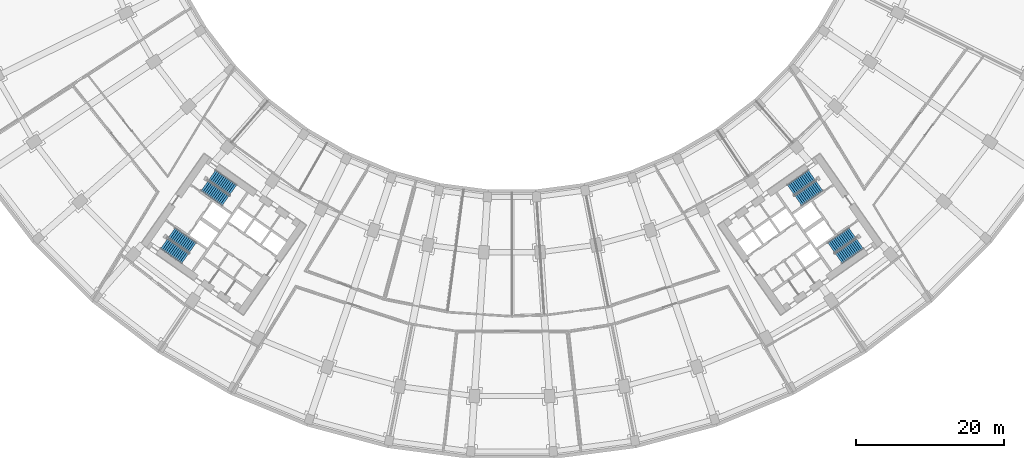
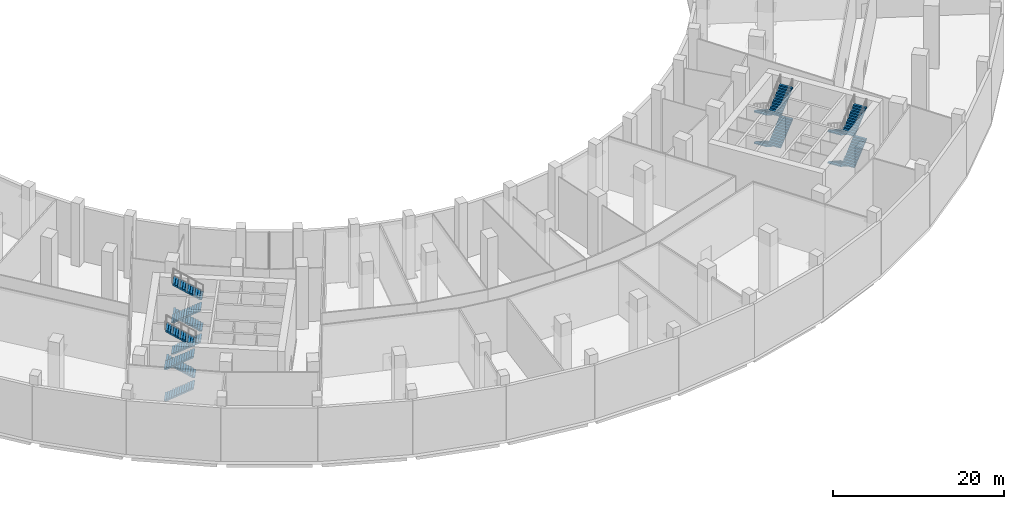
# One storey, part 12 of 19: 16 stair flights, 4 elements without a shape of their own.
"""IFC4 building model written with IfcOpenShell, lengths in metres."""

from ifc_helpers import new_model, si_unit, direction, frame, origin, place, context, subcontext, project, spatial, polyline, outline, extrude, material, type_object, element, aggregate, save


model = new_model("IFC4")

# Units and contexts
model_context = context("Model", 3, precision=1e-05, world=origin(), true_north=direction((0.0, 1.0)))
body_context = subcontext(model_context, "Body", "Model", "MODEL_VIEW")
ifc_project = project(units=[si_unit("LENGTHUNIT", "METRE"), si_unit("AREAUNIT", "SQUARE_METRE"), si_unit("VOLUMEUNIT", "CUBIC_METRE"), si_unit("PLANEANGLEUNIT", "RADIAN"), si_unit("MASSUNIT", "GRAM", prefix="KILO")], contexts=[model_context])

# Site, building, storey
site_placement = place(None, origin())
site = spatial("IfcSite", under=ifc_project, at=site_placement, CompositionType="ELEMENT")
building_placement = place(site_placement, origin())
building = spatial("IfcBuilding", under=site, at=building_placement, Name="Qamariyya Broadcast Tower", CompositionType="ELEMENT")
storey_placement = place(building_placement, frame((0.0, 0.0, 9.0)))
storey = spatial("IfcBuildingStorey", under=building, at=storey_placement, Name="L01", CompositionType="ELEMENT", Elevation=9.0)

# Stair, stair flights
ifc_material = material(Name="Concrete C50/60", Category="concrete")
stair_type = type_object("IfcStairType", Name="Exit stair 52 risers of 173 mm", PredefinedType="HALF_TURN_STAIR", material=ifc_material)
stair_1_placement = place(storey_placement, origin())
stair_1 = element("IfcStair", 1, at=stair_1_placement, inside=storey, type_object=stair_type, Name="L01 Stair W2", PredefinedType="HALF_TURN_STAIR")
stair_flight_type = type_object("IfcStairFlightType", Name="Exit stair flight 13 risers of 173 mm", PredefinedType="STRAIGHT", material=ifc_material)
stair_flight_1_placement = place(storey_placement, frame((-41.59130859375, -49.15966796875, 0.0), z_axis=(0.0, 0.0, 1.0), x_axis=(0.819152044289, -0.573576436351, 0.0)))
stair_flight_1 = element("IfcStairFlight", 2, at=stair_flight_1_placement, type_object=stair_flight_type, Name="ST-W2 flight 1", NumberOfRisers=13, NumberOfTreads=12, PredefinedType="STRAIGHT", RiserHeight=0.173076923, TreadLength=0.29, context=body_context, shape_type="SweptSolid", body=[
    extrude(outline(polyline([(0.0, 0.0), (0.0, 0.173095703125), (0.2900390625, 0.173095703125), (0.2900390625, 0.34619140625), (0.580078125, 0.34619140625), (0.580078125, 0.519287109375), (0.8701171875, 0.519287109375), (0.8701171875, 0.6923828125), (1.159912109375, 0.6923828125), (1.159912109375, 0.865478515625), (1.449951171875, 0.865478515625), (1.449951171875, 1.03857421875), (1.739990234375, 1.03857421875), (1.739990234375, 1.21142578125), (2.030029296875, 1.21142578125), (2.030029296875, 1.384521484375), (2.320068359375, 1.384521484375), (2.320068359375, 1.5576171875), (2.610107421875, 1.5576171875), (2.610107421875, 1.730712890625), (2.89990234375, 1.730712890625), (2.89990234375, 1.90380859375), (3.18994140625, 1.90380859375), (3.18994140625, 2.076904296875), (3.47998046875, 2.076904296875), (3.47998046875, 2.25), (3.47998046875, 1.90234375), (0.29248046875, 0.0), (0.0, 0.0)])), frame((0.0, 0.824951171875, 0.0), z_axis=(0.0, -1.0, 0.0), x_axis=(1.0, 0.0, 0.0)), (0.0, 0.0, 1.0), 1.64990234375),
])
stair_flight_2_placement = place(storey_placement, frame((-37.7080078125, -49.681396484375, 2.25), z_axis=(0.0, 0.0, 1.0), x_axis=(-0.819152044289, 0.573576436351, 0.0)))
stair_flight_2 = element("IfcStairFlight", 3, at=stair_flight_2_placement, type_object=stair_flight_type, Name="ST-W2 flight 2", NumberOfRisers=13, NumberOfTreads=12, PredefinedType="STRAIGHT", RiserHeight=0.173076923, TreadLength=0.29, context=body_context, shape_type="SweptSolid", body=[
    extrude(outline(polyline([(0.0, 0.0), (0.0, 0.173095703125), (0.2900390625, 0.173095703125), (0.2900390625, 0.34619140625), (0.580078125, 0.34619140625), (0.580078125, 0.519287109375), (0.8701171875, 0.519287109375), (0.8701171875, 0.6923828125), (1.159912109375, 0.6923828125), (1.159912109375, 0.865478515625), (1.449951171875, 0.865478515625), (1.449951171875, 1.03857421875), (1.739990234375, 1.03857421875), (1.739990234375, 1.21142578125), (2.030029296875, 1.21142578125), (2.030029296875, 1.384521484375), (2.320068359375, 1.384521484375), (2.320068359375, 1.5576171875), (2.610107421875, 1.5576171875), (2.610107421875, 1.730712890625), (2.89990234375, 1.730712890625), (2.89990234375, 1.90380859375), (3.18994140625, 1.90380859375), (3.18994140625, 2.076904296875), (3.47998046875, 2.076904296875), (3.47998046875, 2.25), (3.47998046875, 1.90234375), (0.29248046875, 0.0), (0.0, 0.0)])), frame((0.0, 0.824951171875, 0.0), z_axis=(0.0, -1.0, 0.0), x_axis=(1.0, 0.0, 0.0)), (0.0, 0.0, 1.0), 1.64990234375),
])
stair_flight_3_placement = place(storey_placement, frame((-41.59130859375, -49.15966796875, 4.5), z_axis=(0.0, 0.0, 1.0), x_axis=(0.819152044289, -0.573576436351, 0.0)))
stair_flight_3 = element("IfcStairFlight", 4, at=stair_flight_3_placement, type_object=stair_flight_type, Name="ST-W2 flight 3", NumberOfRisers=13, NumberOfTreads=12, PredefinedType="STRAIGHT", RiserHeight=0.173076923, TreadLength=0.29, context=body_context, shape_type="SweptSolid", body=[
    extrude(outline(polyline([(0.0, 0.0), (0.0, 0.173095703125), (0.2900390625, 0.173095703125), (0.2900390625, 0.34619140625), (0.580078125, 0.34619140625), (0.580078125, 0.519287109375), (0.8701171875, 0.519287109375), (0.8701171875, 0.6923828125), (1.159912109375, 0.6923828125), (1.159912109375, 0.865478515625), (1.449951171875, 0.865478515625), (1.449951171875, 1.03857421875), (1.739990234375, 1.03857421875), (1.739990234375, 1.21142578125), (2.030029296875, 1.21142578125), (2.030029296875, 1.384521484375), (2.320068359375, 1.384521484375), (2.320068359375, 1.5576171875), (2.610107421875, 1.5576171875), (2.610107421875, 1.730712890625), (2.89990234375, 1.730712890625), (2.89990234375, 1.90380859375), (3.18994140625, 1.90380859375), (3.18994140625, 2.076904296875), (3.47998046875, 2.076904296875), (3.47998046875, 2.25), (3.47998046875, 1.90234375), (0.29248046875, 0.0), (0.0, 0.0)])), frame((0.0, 0.824951171875, 0.0), z_axis=(0.0, -1.0, 0.0), x_axis=(1.0, 0.0, 0.0)), (0.0, 0.0, 1.0), 1.64990234375),
])
stair_flight_4_placement = place(storey_placement, frame((-37.7080078125, -49.681396484375, 6.75), z_axis=(0.0, 0.0, 1.0), x_axis=(-0.819152044289, 0.573576436351, 0.0)))
stair_flight_4 = element("IfcStairFlight", 5, at=stair_flight_4_placement, type_object=stair_flight_type, Name="ST-W2 flight 4", NumberOfRisers=13, NumberOfTreads=12, PredefinedType="STRAIGHT", RiserHeight=0.173076923, TreadLength=0.29, context=body_context, shape_type="SweptSolid", body=[
    extrude(outline(polyline([(0.0, 0.0), (0.0, 0.173095703125), (0.2900390625, 0.173095703125), (0.2900390625, 0.34619140625), (0.580078125, 0.34619140625), (0.580078125, 0.519287109375), (0.8701171875, 0.519287109375), (0.8701171875, 0.6923828125), (1.159912109375, 0.6923828125), (1.159912109375, 0.865478515625), (1.449951171875, 0.865478515625), (1.449951171875, 1.03857421875), (1.739990234375, 1.03857421875), (1.739990234375, 1.21142578125), (2.030029296875, 1.21142578125), (2.030029296875, 1.384521484375), (2.320068359375, 1.384521484375), (2.320068359375, 1.5576171875), (2.610107421875, 1.5576171875), (2.610107421875, 1.730712890625), (2.89990234375, 1.730712890625), (2.89990234375, 1.90380859375), (3.18994140625, 1.90380859375), (3.18994140625, 2.076904296875), (3.47998046875, 2.076904296875), (3.47998046875, 2.25), (3.47998046875, 1.90234375), (0.29248046875, 0.0), (0.0, 0.0)])), frame((0.0, 0.824951171875, 0.0), z_axis=(0.0, -1.0, 0.0), x_axis=(1.0, 0.0, 0.0)), (0.0, 0.0, 1.0), 1.64990234375),
])
aggregate(stair_1, [stair_flight_1, stair_flight_2, stair_flight_3, stair_flight_4])

stair_2_placement = place(storey_placement, origin())
stair_2 = element("IfcStair", 6, at=stair_2_placement, inside=storey, type_object=stair_type, Name="L01 Stair W1", PredefinedType="HALF_TURN_STAIR")
stair_flight_5_placement = place(storey_placement, frame((-47.06884765625, -56.982666015625, 0.0), z_axis=(0.0, 0.0, 1.0), x_axis=(0.819152044289, -0.573576436351, 0.0)))
stair_flight_5 = element("IfcStairFlight", 7, at=stair_flight_5_placement, type_object=stair_flight_type, Name="ST-W1 flight 1", NumberOfRisers=13, NumberOfTreads=12, PredefinedType="STRAIGHT", RiserHeight=0.173076923, TreadLength=0.29, context=body_context, shape_type="SweptSolid", body=[
    extrude(outline(polyline([(0.0, 0.0), (0.0, 0.173095703125), (0.2900390625, 0.173095703125), (0.2900390625, 0.34619140625), (0.580078125, 0.34619140625), (0.580078125, 0.519287109375), (0.8701171875, 0.519287109375), (0.8701171875, 0.6923828125), (1.159912109375, 0.6923828125), (1.159912109375, 0.865478515625), (1.449951171875, 0.865478515625), (1.449951171875, 1.03857421875), (1.739990234375, 1.03857421875), (1.739990234375, 1.21142578125), (2.030029296875, 1.21142578125), (2.030029296875, 1.384521484375), (2.320068359375, 1.384521484375), (2.320068359375, 1.5576171875), (2.610107421875, 1.5576171875), (2.610107421875, 1.730712890625), (2.89990234375, 1.730712890625), (2.89990234375, 1.90380859375), (3.18994140625, 1.90380859375), (3.18994140625, 2.076904296875), (3.47998046875, 2.076904296875), (3.47998046875, 2.25), (3.47998046875, 1.90234375), (0.29248046875, 0.0), (0.0, 0.0)])), frame((0.0, 0.824951171875, 0.0), z_axis=(0.0, -1.0, 0.0), x_axis=(1.0, 0.0, 0.0)), (0.0, 0.0, 1.0), 1.64990234375),
])
stair_flight_6_placement = place(storey_placement, frame((-43.185791015625, -57.504150390625, 2.25), z_axis=(0.0, 0.0, 1.0), x_axis=(-0.819152044289, 0.573576436351, 0.0)))
stair_flight_6 = element("IfcStairFlight", 8, at=stair_flight_6_placement, type_object=stair_flight_type, Name="ST-W1 flight 2", NumberOfRisers=13, NumberOfTreads=12, PredefinedType="STRAIGHT", RiserHeight=0.173076923, TreadLength=0.29, context=body_context, shape_type="SweptSolid", body=[
    extrude(outline(polyline([(0.0, 0.0), (0.0, 0.173095703125), (0.2900390625, 0.173095703125), (0.2900390625, 0.34619140625), (0.580078125, 0.34619140625), (0.580078125, 0.519287109375), (0.8701171875, 0.519287109375), (0.8701171875, 0.6923828125), (1.159912109375, 0.6923828125), (1.159912109375, 0.865478515625), (1.449951171875, 0.865478515625), (1.449951171875, 1.03857421875), (1.739990234375, 1.03857421875), (1.739990234375, 1.21142578125), (2.030029296875, 1.21142578125), (2.030029296875, 1.384521484375), (2.320068359375, 1.384521484375), (2.320068359375, 1.5576171875), (2.610107421875, 1.5576171875), (2.610107421875, 1.730712890625), (2.89990234375, 1.730712890625), (2.89990234375, 1.90380859375), (3.18994140625, 1.90380859375), (3.18994140625, 2.076904296875), (3.47998046875, 2.076904296875), (3.47998046875, 2.25), (3.47998046875, 1.90234375), (0.29248046875, 0.0), (0.0, 0.0)])), frame((0.0, 0.824951171875, 0.0), z_axis=(0.0, -1.0, 0.0), x_axis=(1.0, 0.0, 0.0)), (0.0, 0.0, 1.0), 1.64990234375),
])
stair_flight_7_placement = place(storey_placement, frame((-47.06884765625, -56.982666015625, 4.5), z_axis=(0.0, 0.0, 1.0), x_axis=(0.819152044289, -0.573576436351, 0.0)))
stair_flight_7 = element("IfcStairFlight", 9, at=stair_flight_7_placement, type_object=stair_flight_type, Name="ST-W1 flight 3", NumberOfRisers=13, NumberOfTreads=12, PredefinedType="STRAIGHT", RiserHeight=0.173076923, TreadLength=0.29, context=body_context, shape_type="SweptSolid", body=[
    extrude(outline(polyline([(0.0, 0.0), (0.0, 0.173095703125), (0.2900390625, 0.173095703125), (0.2900390625, 0.34619140625), (0.580078125, 0.34619140625), (0.580078125, 0.519287109375), (0.8701171875, 0.519287109375), (0.8701171875, 0.6923828125), (1.159912109375, 0.6923828125), (1.159912109375, 0.865478515625), (1.449951171875, 0.865478515625), (1.449951171875, 1.03857421875), (1.739990234375, 1.03857421875), (1.739990234375, 1.21142578125), (2.030029296875, 1.21142578125), (2.030029296875, 1.384521484375), (2.320068359375, 1.384521484375), (2.320068359375, 1.5576171875), (2.610107421875, 1.5576171875), (2.610107421875, 1.730712890625), (2.89990234375, 1.730712890625), (2.89990234375, 1.90380859375), (3.18994140625, 1.90380859375), (3.18994140625, 2.076904296875), (3.47998046875, 2.076904296875), (3.47998046875, 2.25), (3.47998046875, 1.90234375), (0.29248046875, 0.0), (0.0, 0.0)])), frame((0.0, 0.824951171875, 0.0), z_axis=(0.0, -1.0, 0.0), x_axis=(1.0, 0.0, 0.0)), (0.0, 0.0, 1.0), 1.64990234375),
])
stair_flight_8_placement = place(storey_placement, frame((-43.185791015625, -57.504150390625, 6.75), z_axis=(0.0, 0.0, 1.0), x_axis=(-0.819152044289, 0.573576436351, 0.0)))
stair_flight_8 = element("IfcStairFlight", 10, at=stair_flight_8_placement, type_object=stair_flight_type, Name="ST-W1 flight 4", NumberOfRisers=13, NumberOfTreads=12, PredefinedType="STRAIGHT", RiserHeight=0.173076923, TreadLength=0.29, context=body_context, shape_type="SweptSolid", body=[
    extrude(outline(polyline([(0.0, 0.0), (0.0, 0.173095703125), (0.2900390625, 0.173095703125), (0.2900390625, 0.34619140625), (0.580078125, 0.34619140625), (0.580078125, 0.519287109375), (0.8701171875, 0.519287109375), (0.8701171875, 0.6923828125), (1.159912109375, 0.6923828125), (1.159912109375, 0.865478515625), (1.449951171875, 0.865478515625), (1.449951171875, 1.03857421875), (1.739990234375, 1.03857421875), (1.739990234375, 1.21142578125), (2.030029296875, 1.21142578125), (2.030029296875, 1.384521484375), (2.320068359375, 1.384521484375), (2.320068359375, 1.5576171875), (2.610107421875, 1.5576171875), (2.610107421875, 1.730712890625), (2.89990234375, 1.730712890625), (2.89990234375, 1.90380859375), (3.18994140625, 1.90380859375), (3.18994140625, 2.076904296875), (3.47998046875, 2.076904296875), (3.47998046875, 2.25), (3.47998046875, 1.90234375), (0.29248046875, 0.0), (0.0, 0.0)])), frame((0.0, 0.824951171875, 0.0), z_axis=(0.0, -1.0, 0.0), x_axis=(1.0, 0.0, 0.0)), (0.0, 0.0, 1.0), 1.64990234375),
])
aggregate(stair_2, [stair_flight_5, stair_flight_6, stair_flight_7, stair_flight_8])

stair_3_placement = place(storey_placement, origin())
stair_3 = element("IfcStair", 11, at=stair_3_placement, inside=storey, type_object=stair_type, Name="L01 Stair E2", PredefinedType="HALF_TURN_STAIR")
stair_flight_9_placement = place(storey_placement, frame((40.558837890625, -47.685302734375, 0.0), z_axis=(0.0, 0.0, 1.0), x_axis=(-0.819152044289, -0.573576436351, 0.0)))
stair_flight_9 = element("IfcStairFlight", 12, at=stair_flight_9_placement, type_object=stair_flight_type, Name="ST-E2 flight 1", NumberOfRisers=13, NumberOfTreads=12, PredefinedType="STRAIGHT", RiserHeight=0.173076923, TreadLength=0.29, context=body_context, shape_type="SweptSolid", body=[
    extrude(outline(polyline([(0.0, 0.0), (0.0, 0.173095703125), (0.2900390625, 0.173095703125), (0.2900390625, 0.34619140625), (0.580078125, 0.34619140625), (0.580078125, 0.519287109375), (0.8701171875, 0.519287109375), (0.8701171875, 0.6923828125), (1.159912109375, 0.6923828125), (1.159912109375, 0.865478515625), (1.449951171875, 0.865478515625), (1.449951171875, 1.03857421875), (1.739990234375, 1.03857421875), (1.739990234375, 1.21142578125), (2.030029296875, 1.21142578125), (2.030029296875, 1.384521484375), (2.320068359375, 1.384521484375), (2.320068359375, 1.5576171875), (2.610107421875, 1.5576171875), (2.610107421875, 1.730712890625), (2.89990234375, 1.730712890625), (2.89990234375, 1.90380859375), (3.18994140625, 1.90380859375), (3.18994140625, 2.076904296875), (3.47998046875, 2.076904296875), (3.47998046875, 2.25), (3.47998046875, 1.90234375), (0.29248046875, 0.0), (0.0, 0.0)])), frame((0.0, 0.824951171875, 0.0), z_axis=(0.0, -1.0, 0.0), x_axis=(1.0, 0.0, 0.0)), (0.0, 0.0, 1.0), 1.64990234375),
])
stair_flight_10_placement = place(storey_placement, frame((38.740478515625, -51.15576171875, 2.25), z_axis=(0.0, 0.0, 1.0), x_axis=(0.819152044289, 0.573576436351, 0.0)))
stair_flight_10 = element("IfcStairFlight", 13, at=stair_flight_10_placement, type_object=stair_flight_type, Name="ST-E2 flight 2", NumberOfRisers=13, NumberOfTreads=12, PredefinedType="STRAIGHT", RiserHeight=0.173076923, TreadLength=0.29, context=body_context, shape_type="SweptSolid", body=[
    extrude(outline(polyline([(0.0, 0.0), (0.0, 0.173095703125), (0.2900390625, 0.173095703125), (0.2900390625, 0.34619140625), (0.580078125, 0.34619140625), (0.580078125, 0.519287109375), (0.8701171875, 0.519287109375), (0.8701171875, 0.6923828125), (1.159912109375, 0.6923828125), (1.159912109375, 0.865478515625), (1.449951171875, 0.865478515625), (1.449951171875, 1.03857421875), (1.739990234375, 1.03857421875), (1.739990234375, 1.21142578125), (2.030029296875, 1.21142578125), (2.030029296875, 1.384521484375), (2.320068359375, 1.384521484375), (2.320068359375, 1.5576171875), (2.610107421875, 1.5576171875), (2.610107421875, 1.730712890625), (2.89990234375, 1.730712890625), (2.89990234375, 1.90380859375), (3.18994140625, 1.90380859375), (3.18994140625, 2.076904296875), (3.47998046875, 2.076904296875), (3.47998046875, 2.25), (3.47998046875, 1.90234375), (0.29248046875, 0.0), (0.0, 0.0)])), frame((0.0, 0.824951171875, 0.0), z_axis=(0.0, -1.0, 0.0), x_axis=(1.0, 0.0, 0.0)), (0.0, 0.0, 1.0), 1.64990234375),
])
stair_flight_11_placement = place(storey_placement, frame((40.558837890625, -47.685302734375, 4.5), z_axis=(0.0, 0.0, 1.0), x_axis=(-0.819152044289, -0.573576436351, 0.0)))
stair_flight_11 = element("IfcStairFlight", 14, at=stair_flight_11_placement, type_object=stair_flight_type, Name="ST-E2 flight 3", NumberOfRisers=13, NumberOfTreads=12, PredefinedType="STRAIGHT", RiserHeight=0.173076923, TreadLength=0.29, context=body_context, shape_type="SweptSolid", body=[
    extrude(outline(polyline([(0.0, 0.0), (0.0, 0.173095703125), (0.2900390625, 0.173095703125), (0.2900390625, 0.34619140625), (0.580078125, 0.34619140625), (0.580078125, 0.519287109375), (0.8701171875, 0.519287109375), (0.8701171875, 0.6923828125), (1.159912109375, 0.6923828125), (1.159912109375, 0.865478515625), (1.449951171875, 0.865478515625), (1.449951171875, 1.03857421875), (1.739990234375, 1.03857421875), (1.739990234375, 1.21142578125), (2.030029296875, 1.21142578125), (2.030029296875, 1.384521484375), (2.320068359375, 1.384521484375), (2.320068359375, 1.5576171875), (2.610107421875, 1.5576171875), (2.610107421875, 1.730712890625), (2.89990234375, 1.730712890625), (2.89990234375, 1.90380859375), (3.18994140625, 1.90380859375), (3.18994140625, 2.076904296875), (3.47998046875, 2.076904296875), (3.47998046875, 2.25), (3.47998046875, 1.90234375), (0.29248046875, 0.0), (0.0, 0.0)])), frame((0.0, 0.824951171875, 0.0), z_axis=(0.0, -1.0, 0.0), x_axis=(1.0, 0.0, 0.0)), (0.0, 0.0, 1.0), 1.64990234375),
])
stair_flight_12_placement = place(storey_placement, frame((38.740478515625, -51.15576171875, 6.75), z_axis=(0.0, 0.0, 1.0), x_axis=(0.819152044289, 0.573576436351, 0.0)))
stair_flight_12 = element("IfcStairFlight", 15, at=stair_flight_12_placement, type_object=stair_flight_type, Name="ST-E2 flight 4", NumberOfRisers=13, NumberOfTreads=12, PredefinedType="STRAIGHT", RiserHeight=0.173076923, TreadLength=0.29, context=body_context, shape_type="SweptSolid", body=[
    extrude(outline(polyline([(0.0, 0.0), (0.0, 0.173095703125), (0.2900390625, 0.173095703125), (0.2900390625, 0.34619140625), (0.580078125, 0.34619140625), (0.580078125, 0.519287109375), (0.8701171875, 0.519287109375), (0.8701171875, 0.6923828125), (1.159912109375, 0.6923828125), (1.159912109375, 0.865478515625), (1.449951171875, 0.865478515625), (1.449951171875, 1.03857421875), (1.739990234375, 1.03857421875), (1.739990234375, 1.21142578125), (2.030029296875, 1.21142578125), (2.030029296875, 1.384521484375), (2.320068359375, 1.384521484375), (2.320068359375, 1.5576171875), (2.610107421875, 1.5576171875), (2.610107421875, 1.730712890625), (2.89990234375, 1.730712890625), (2.89990234375, 1.90380859375), (3.18994140625, 1.90380859375), (3.18994140625, 2.076904296875), (3.47998046875, 2.076904296875), (3.47998046875, 2.25), (3.47998046875, 1.90234375), (0.29248046875, 0.0), (0.0, 0.0)])), frame((0.0, 0.824951171875, 0.0), z_axis=(0.0, -1.0, 0.0), x_axis=(1.0, 0.0, 0.0)), (0.0, 0.0, 1.0), 1.64990234375),
])
aggregate(stair_3, [stair_flight_9, stair_flight_10, stair_flight_11, stair_flight_12])

stair_4_placement = place(storey_placement, origin())
stair_4 = element("IfcStair", 16, at=stair_4_placement, inside=storey, type_object=stair_type, Name="L01 Stair E1", PredefinedType="HALF_TURN_STAIR")
stair_flight_13_placement = place(storey_placement, frame((46.036376953125, -55.508056640625, 0.0), z_axis=(0.0, 0.0, 1.0), x_axis=(-0.819152044289, -0.573576436351, 0.0)))
stair_flight_13 = element("IfcStairFlight", 17, at=stair_flight_13_placement, type_object=stair_flight_type, Name="ST-E1 flight 1", NumberOfRisers=13, NumberOfTreads=12, PredefinedType="STRAIGHT", RiserHeight=0.173076923, TreadLength=0.29, context=body_context, shape_type="SweptSolid", body=[
    extrude(outline(polyline([(0.0, 0.0), (0.0, 0.173095703125), (0.2900390625, 0.173095703125), (0.2900390625, 0.34619140625), (0.580078125, 0.34619140625), (0.580078125, 0.519287109375), (0.8701171875, 0.519287109375), (0.8701171875, 0.6923828125), (1.159912109375, 0.6923828125), (1.159912109375, 0.865478515625), (1.449951171875, 0.865478515625), (1.449951171875, 1.03857421875), (1.739990234375, 1.03857421875), (1.739990234375, 1.21142578125), (2.030029296875, 1.21142578125), (2.030029296875, 1.384521484375), (2.320068359375, 1.384521484375), (2.320068359375, 1.5576171875), (2.610107421875, 1.5576171875), (2.610107421875, 1.730712890625), (2.89990234375, 1.730712890625), (2.89990234375, 1.90380859375), (3.18994140625, 1.90380859375), (3.18994140625, 2.076904296875), (3.47998046875, 2.076904296875), (3.47998046875, 2.25), (3.47998046875, 1.90234375), (0.29248046875, 0.0), (0.0, 0.0)])), frame((0.0, 0.824951171875, 0.0), z_axis=(0.0, -1.0, 0.0), x_axis=(1.0, 0.0, 0.0)), (0.0, 0.0, 1.0), 1.64990234375),
])
stair_flight_14_placement = place(storey_placement, frame((44.21826171875, -58.978759765625, 2.25), z_axis=(0.0, 0.0, 1.0), x_axis=(0.819152044289, 0.573576436351, 0.0)))
stair_flight_14 = element("IfcStairFlight", 18, at=stair_flight_14_placement, type_object=stair_flight_type, Name="ST-E1 flight 2", NumberOfRisers=13, NumberOfTreads=12, PredefinedType="STRAIGHT", RiserHeight=0.173076923, TreadLength=0.29, context=body_context, shape_type="SweptSolid", body=[
    extrude(outline(polyline([(0.0, 0.0), (0.0, 0.173095703125), (0.2900390625, 0.173095703125), (0.2900390625, 0.34619140625), (0.580078125, 0.34619140625), (0.580078125, 0.519287109375), (0.8701171875, 0.519287109375), (0.8701171875, 0.6923828125), (1.159912109375, 0.6923828125), (1.159912109375, 0.865478515625), (1.449951171875, 0.865478515625), (1.449951171875, 1.03857421875), (1.739990234375, 1.03857421875), (1.739990234375, 1.21142578125), (2.030029296875, 1.21142578125), (2.030029296875, 1.384521484375), (2.320068359375, 1.384521484375), (2.320068359375, 1.5576171875), (2.610107421875, 1.5576171875), (2.610107421875, 1.730712890625), (2.89990234375, 1.730712890625), (2.89990234375, 1.90380859375), (3.18994140625, 1.90380859375), (3.18994140625, 2.076904296875), (3.47998046875, 2.076904296875), (3.47998046875, 2.25), (3.47998046875, 1.90234375), (0.29248046875, 0.0), (0.0, 0.0)])), frame((0.0, 0.824951171875, 0.0), z_axis=(0.0, -1.0, 0.0), x_axis=(1.0, 0.0, 0.0)), (0.0, 0.0, 1.0), 1.64990234375),
])
stair_flight_15_placement = place(storey_placement, frame((46.036376953125, -55.508056640625, 4.5), z_axis=(0.0, 0.0, 1.0), x_axis=(-0.819152044289, -0.573576436351, 0.0)))
stair_flight_15 = element("IfcStairFlight", 19, at=stair_flight_15_placement, type_object=stair_flight_type, Name="ST-E1 flight 3", NumberOfRisers=13, NumberOfTreads=12, PredefinedType="STRAIGHT", RiserHeight=0.173076923, TreadLength=0.29, context=body_context, shape_type="SweptSolid", body=[
    extrude(outline(polyline([(0.0, 0.0), (0.0, 0.173095703125), (0.2900390625, 0.173095703125), (0.2900390625, 0.34619140625), (0.580078125, 0.34619140625), (0.580078125, 0.519287109375), (0.8701171875, 0.519287109375), (0.8701171875, 0.6923828125), (1.159912109375, 0.6923828125), (1.159912109375, 0.865478515625), (1.449951171875, 0.865478515625), (1.449951171875, 1.03857421875), (1.739990234375, 1.03857421875), (1.739990234375, 1.21142578125), (2.030029296875, 1.21142578125), (2.030029296875, 1.384521484375), (2.320068359375, 1.384521484375), (2.320068359375, 1.5576171875), (2.610107421875, 1.5576171875), (2.610107421875, 1.730712890625), (2.89990234375, 1.730712890625), (2.89990234375, 1.90380859375), (3.18994140625, 1.90380859375), (3.18994140625, 2.076904296875), (3.47998046875, 2.076904296875), (3.47998046875, 2.25), (3.47998046875, 1.90234375), (0.29248046875, 0.0), (0.0, 0.0)])), frame((0.0, 0.824951171875, 0.0), z_axis=(0.0, -1.0, 0.0), x_axis=(1.0, 0.0, 0.0)), (0.0, 0.0, 1.0), 1.64990234375),
])
stair_flight_16_placement = place(storey_placement, frame((44.21826171875, -58.978759765625, 6.75), z_axis=(0.0, 0.0, 1.0), x_axis=(0.819152044289, 0.573576436351, 0.0)))
stair_flight_16 = element("IfcStairFlight", 20, at=stair_flight_16_placement, type_object=stair_flight_type, Name="ST-E1 flight 4", NumberOfRisers=13, NumberOfTreads=12, PredefinedType="STRAIGHT", RiserHeight=0.173076923, TreadLength=0.29, context=body_context, shape_type="SweptSolid", body=[
    extrude(outline(polyline([(0.0, 0.0), (0.0, 0.173095703125), (0.2900390625, 0.173095703125), (0.2900390625, 0.34619140625), (0.580078125, 0.34619140625), (0.580078125, 0.519287109375), (0.8701171875, 0.519287109375), (0.8701171875, 0.6923828125), (1.159912109375, 0.6923828125), (1.159912109375, 0.865478515625), (1.449951171875, 0.865478515625), (1.449951171875, 1.03857421875), (1.739990234375, 1.03857421875), (1.739990234375, 1.21142578125), (2.030029296875, 1.21142578125), (2.030029296875, 1.384521484375), (2.320068359375, 1.384521484375), (2.320068359375, 1.5576171875), (2.610107421875, 1.5576171875), (2.610107421875, 1.730712890625), (2.89990234375, 1.730712890625), (2.89990234375, 1.90380859375), (3.18994140625, 1.90380859375), (3.18994140625, 2.076904296875), (3.47998046875, 2.076904296875), (3.47998046875, 2.25), (3.47998046875, 1.90234375), (0.29248046875, 0.0), (0.0, 0.0)])), frame((0.0, 0.824951171875, 0.0), z_axis=(0.0, -1.0, 0.0), x_axis=(1.0, 0.0, 0.0)), (0.0, 0.0, 1.0), 1.64990234375),
])
aggregate(stair_4, [stair_flight_13, stair_flight_14, stair_flight_15, stair_flight_16])

save(model, "model.ifc")
